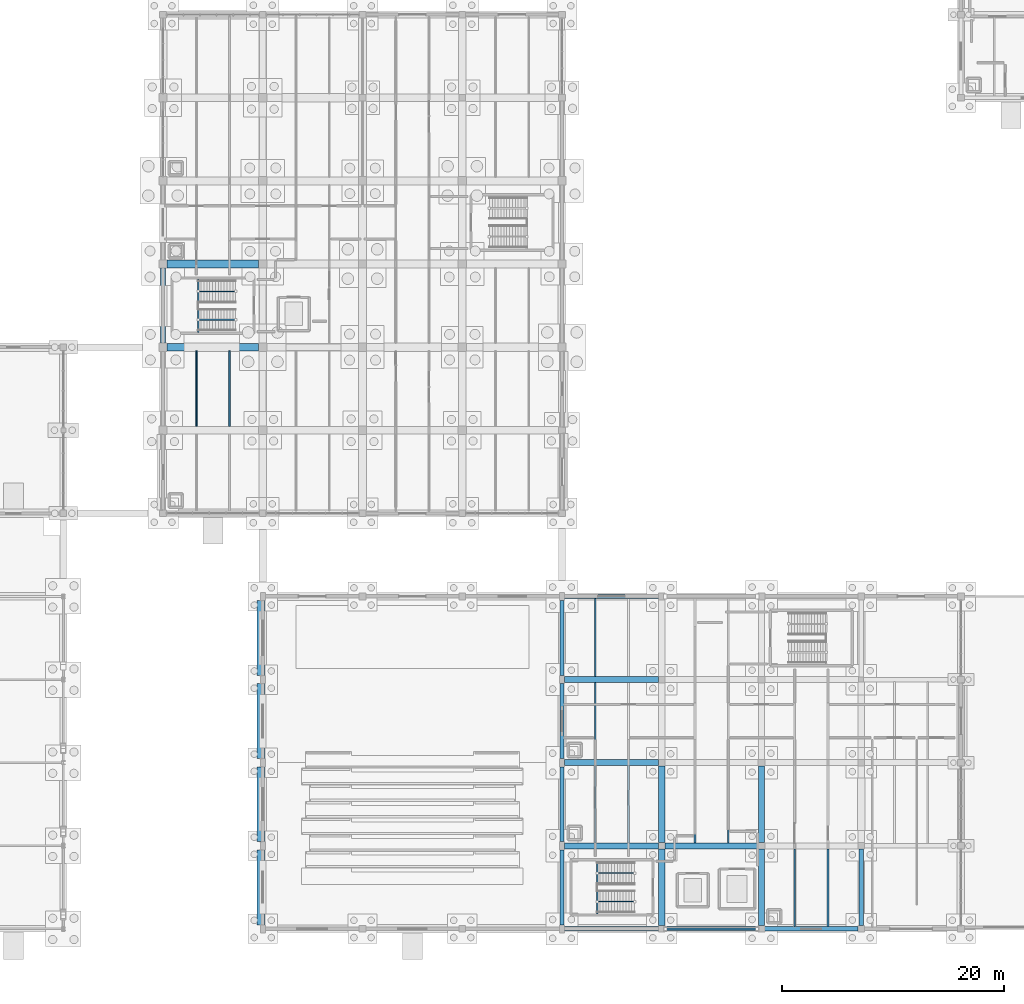
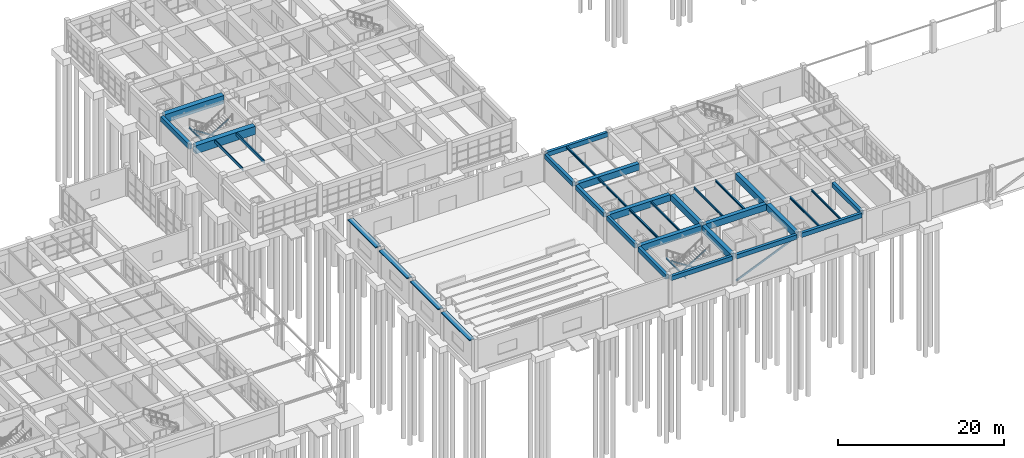
# One storey, part 22 of 93: 32 beams, 9 members.
"""IFC4 building model written with IfcOpenShell, lengths in metres."""

from ifc_helpers import new_model, si_unit, direction, frame, origin, origin_2d, place, context, subcontext, project, spatial, rectangle, hollow_rectangle, i_section, extrude, material, material_profile, profile_set, type_object, element, save


model = new_model("IFC4")

# Units and contexts
model_context = context("Model", 3, precision=1e-05, world=origin(), true_north=direction((0.0, 1.0)))
body_context = subcontext(model_context, "Body", "Model", "MODEL_VIEW")
ifc_project = project(units=[si_unit("LENGTHUNIT", "METRE"), si_unit("AREAUNIT", "SQUARE_METRE"), si_unit("VOLUMEUNIT", "CUBIC_METRE"), si_unit("PLANEANGLEUNIT", "RADIAN"), si_unit("MASSUNIT", "GRAM", prefix="KILO")], contexts=[model_context])

# Site, building, storey
site_placement = place(None, origin())
site = spatial("IfcSite", under=ifc_project, at=site_placement, CompositionType="ELEMENT")
building_placement = place(site_placement, origin())
building = spatial("IfcBuilding", under=site, at=building_placement, Name="Marnridge Secondary College", CompositionType="ELEMENT")
storey_placement = place(building_placement, origin())
storey = spatial("IfcBuildingStorey", under=building, at=storey_placement, Name="L00", CompositionType="ELEMENT", Elevation=0.0)

# Beams
ifc_material_1 = material(Name="Engineered timber LVL E13.2", Category="wood")
ifc_material_profile_1 = material_profile(ifc_material_1, rectangle(XDim=0.1259765625, YDim=0.449951171875, at=origin_2d()), Name="LVL 126x450")
ifc_profile_set_1 = profile_set([ifc_material_profile_1], Name="Engineered timber LVL E13.2")
beam_type_1 = type_object("IfcBeamType", Name="BM-LVL450-INT", PredefinedType="JOIST", material=ifc_profile_set_1)
for number, where, z_axis, x_axis, name in (
    (1, (57.0, 45.343994140625, 3.85498046875), (0.0, 1.0, 0.0), (-1.0, 0.0, 0.0), "Beam BJ-L00-0095"),
    (2, (60.0, 45.343994140625, 3.85498046875), (0.0, 1.0, 0.0), (-1.0, 0.0, 0.0), "Beam BJ-L00-0096"),
):
    element("IfcBeam", number, at=place(storey_placement, frame(where, z_axis=z_axis, x_axis=x_axis)), inside=storey, type_object=beam_type_1, Name=name, PredefinedType="JOIST", context=body_context, shape_type="SweptSolid", body=[
        extrude(rectangle(XDim=0.1259765625, YDim=0.449951171875, at=origin_2d()), origin(), (0.0, 0.0, 1.0), 6.81201171875),
    ])
ifc_material_2 = material(Name="Concrete C40/50 (AS 3600 N40, 40 MPa)", Category="concrete")
ifc_material_profile_2 = material_profile(ifc_material_2, rectangle(XDim=0.39990234375, YDim=0.64990234375, at=origin_2d()), Name="RC 400x650")
ifc_profile_set_2 = profile_set([ifc_material_profile_2], Name="Concrete C40/50 (AS 3600 N40, 40 MPa)")
beam_type_2 = type_object("IfcBeamType", Name="BM-RC4065-EXT", PredefinedType="SPANDREL", material=ifc_profile_set_2)
beam_1_placement = place(storey_placement, frame((90.218994140625, 0.0, 3.77490234375), z_axis=(1.0, 0.0, 0.0), x_axis=(0.0, 1.0, 0.0)))
element("IfcBeam", 3, at=beam_1_placement, inside=storey, type_object=beam_type_2, Name="Beam BS-L00-0164", PredefinedType="SPANDREL", context=body_context, shape_type="SweptSolid", body=[
    extrude(rectangle(XDim=0.39990234375, YDim=0.64990234375, at=origin_2d()), origin(), (0.0, 0.0, 1.0), 8.487060546875),
])
for number, where, z_axis, x_axis, name in (
    (4, (90.0, 0.368896484375, 3.77490234375), (0.0, 1.0, 0.0), (-1.0, 0.0, 0.0), "Beam BS-L00-0166"),
    (5, (90.0, 7.868896484375, 3.77490234375), (0.0, 1.0, 0.0), (-1.0, 0.0, 0.0), "Beam BS-L00-0169"),
    (6, (90.0, 15.368896484375, 3.77490234375), (0.0, 1.0, 0.0), (-1.0, 0.0, 0.0), "Beam BS-L00-0172"),
):
    element("IfcBeam", number, at=place(storey_placement, frame(where, z_axis=z_axis, x_axis=x_axis)), inside=storey, type_object=beam_type_2, Name=name, PredefinedType="SPANDREL", context=body_context, shape_type="SweptSolid", body=[
        extrude(rectangle(XDim=0.39990234375, YDim=0.64990234375, at=origin_2d()), origin(), (0.0, 0.0, 1.0), 6.76220703125),
    ])
beam_2_placement = place(storey_placement, frame((90.218994140625, 30.0, 3.77490234375), z_axis=(1.0, 0.0, 0.0), x_axis=(0.0, 1.0, 0.0)))
element("IfcBeam", 7, at=beam_2_placement, inside=storey, type_object=beam_type_2, Name="Beam BS-L00-0174", PredefinedType="SPANDREL", context=body_context, shape_type="SweptSolid", body=[
    extrude(rectangle(XDim=0.39990234375, YDim=0.64990234375, at=origin_2d()), origin(), (0.0, 0.0, 1.0), 8.487060546875),
])
beam_3_placement = place(storey_placement, frame((90.0, 22.868896484375, 3.77490234375), z_axis=(0.0, 1.0, 0.0), x_axis=(-1.0, 0.0, 0.0)))
element("IfcBeam", 8, at=beam_3_placement, inside=storey, type_object=beam_type_2, Name="Beam BS-L00-0175", PredefinedType="SPANDREL", context=body_context, shape_type="SweptSolid", body=[
    extrude(rectangle(XDim=0.39990234375, YDim=0.64990234375, at=origin_2d()), origin(), (0.0, 0.0, 1.0), 6.76220703125),
])
for number, where, z_axis, x_axis, name in (
    (9, (99.2939453125, 0.0, 3.77490234375), (1.0, 0.0, 0.0), (0.0, 1.0, 0.0), "Beam BS-L00-0177"),
    (10, (108.2939453125, 0.0, 3.77490234375), (1.0, 0.0, 0.0), (0.0, 1.0, 0.0), "Beam BS-L00-0186"),
):
    element("IfcBeam", number, at=place(storey_placement, frame(where, z_axis=z_axis, x_axis=x_axis)), inside=storey, type_object=beam_type_2, Name=name, PredefinedType="SPANDREL", context=body_context, shape_type="SweptSolid", body=[
        extrude(rectangle(XDim=0.39990234375, YDim=0.64990234375, at=origin_2d()), origin(), (0.0, 0.0, 1.0), 8.412109375),
    ])
beam_4_placement = place(storey_placement, frame((117.0, 0.2939453125, 3.77490234375), z_axis=(0.0, 1.0, 0.0), x_axis=(-1.0, 0.0, 0.0)))
element("IfcBeam", 11, at=beam_4_placement, inside=storey, type_object=beam_type_2, Name="Beam BS-L00-0188", PredefinedType="SPANDREL", context=body_context, shape_type="SweptSolid", body=[
    extrude(rectangle(XDim=0.39990234375, YDim=0.64990234375, at=origin_2d()), origin(), (0.0, 0.0, 1.0), 6.912109375),
])
ifc_material_3 = material(Name="Concrete C40/50 (AS 3600 N40, 40 MPa)", Category="concrete")
ifc_material_profile_3 = material_profile(ifc_material_3, rectangle(XDim=0.449951171875, YDim=0.75, at=origin_2d()), Name="RC 450x750")
ifc_profile_set_3 = profile_set([ifc_material_profile_3], Name="Concrete C40/50 (AS 3600 N40, 40 MPa)")
beam_type_3 = type_object("IfcBeamType", Name="BM-RC4575-EXT", PredefinedType="SPANDREL", material=ifc_profile_set_3)
beam_5_placement = place(storey_placement, frame((54.0, 52.868896484375, 3.705078125), z_axis=(0.0, 1.0, 0.0), x_axis=(-1.0, 0.0, 0.0)))
element("IfcBeam", 12, at=beam_5_placement, inside=storey, type_object=beam_type_3, Name="Beam BS-L00-0043", PredefinedType="SPANDREL", context=body_context, shape_type="SweptSolid", body=[
    extrude(rectangle(XDim=0.449951171875, YDim=0.75, at=origin_2d()), origin(), (0.0, 0.0, 1.0), 6.76220703125),
])
ifc_material_4 = material(Name="Concrete C40/50 (AS 3600 N40, 40 MPa)", Category="concrete")
ifc_material_profile_4 = material_profile(ifc_material_4, rectangle(XDim=0.550048828125, YDim=0.949951171875, at=origin_2d()), Name="RC 550x950")
ifc_profile_set_4 = profile_set([ifc_material_profile_4], Name="Concrete C40/50 (AS 3600 N40, 40 MPa)")
beam_type_4 = type_object("IfcBeamType", Name="BM-RC5595-INT", PredefinedType="BEAM", material=ifc_profile_set_4)
beam_6_placement = place(storey_placement, frame((90.218994140625, 7.5, 3.625), z_axis=(1.0, 0.0, 0.0), x_axis=(0.0, 1.0, 0.0)))
element("IfcBeam", 13, at=beam_6_placement, inside=storey, type_object=beam_type_4, Name="Beam B-L00-0165", PredefinedType="BEAM", context=body_context, shape_type="SweptSolid", body=[
    extrude(rectangle(XDim=0.550048828125, YDim=0.949951171875, at=origin_2d()), origin(), (0.0, 0.0, 1.0), 8.487060546875),
])
beam_7_placement = place(storey_placement, frame((99.0, 0.2939453125, 3.625), z_axis=(0.0, 1.0, 0.0), x_axis=(-1.0, 0.0, 0.0)))
element("IfcBeam", 14, at=beam_7_placement, inside=storey, type_object=beam_type_4, Name="Beam B-L00-0167", PredefinedType="BEAM", context=body_context, shape_type="SweptSolid", body=[
    extrude(rectangle(XDim=0.550048828125, YDim=0.949951171875, at=origin_2d()), origin(), (0.0, 0.0, 1.0), 6.912109375),
])
beam_8_placement = place(storey_placement, frame((90.218994140625, 15.0, 3.625), z_axis=(1.0, 0.0, 0.0), x_axis=(0.0, 1.0, 0.0)))
element("IfcBeam", 15, at=beam_8_placement, inside=storey, type_object=beam_type_4, Name="Beam B-L00-0168", PredefinedType="BEAM", context=body_context, shape_type="SweptSolid", body=[
    extrude(rectangle(XDim=0.550048828125, YDim=0.949951171875, at=origin_2d()), origin(), (0.0, 0.0, 1.0), 8.487060546875),
])
beam_9_placement = place(storey_placement, frame((99.0, 7.7939453125, 3.625), z_axis=(0.0, 1.0, 0.0), x_axis=(-1.0, 0.0, 0.0)))
element("IfcBeam", 16, at=beam_9_placement, inside=storey, type_object=beam_type_4, Name="Beam B-L00-0170", PredefinedType="BEAM", context=body_context, shape_type="SweptSolid", body=[
    extrude(rectangle(XDim=0.550048828125, YDim=0.949951171875, at=origin_2d()), origin(), (0.0, 0.0, 1.0), 6.912109375),
])
beam_10_placement = place(storey_placement, frame((90.218994140625, 22.5, 3.625), z_axis=(1.0, 0.0, 0.0), x_axis=(0.0, 1.0, 0.0)))
element("IfcBeam", 17, at=beam_10_placement, inside=storey, type_object=beam_type_4, Name="Beam B-L00-0171", PredefinedType="BEAM", context=body_context, shape_type="SweptSolid", body=[
    extrude(rectangle(XDim=0.550048828125, YDim=0.949951171875, at=origin_2d()), origin(), (0.0, 0.0, 1.0), 8.487060546875),
])
beam_11_placement = place(storey_placement, frame((99.2939453125, 7.5, 3.625), z_axis=(1.0, 0.0, 0.0), x_axis=(0.0, 1.0, 0.0)))
element("IfcBeam", 18, at=beam_11_placement, inside=storey, type_object=beam_type_4, Name="Beam B-L00-0178", PredefinedType="BEAM", context=body_context, shape_type="SweptSolid", body=[
    extrude(rectangle(XDim=0.550048828125, YDim=0.949951171875, at=origin_2d()), origin(), (0.0, 0.0, 1.0), 8.412109375),
])
for number, where, z_axis, x_axis, name in (
    (19, (108.0, 0.2939453125, 3.625), (0.0, 1.0, 0.0), (-1.0, 0.0, 0.0), "Beam B-L00-0179"),
    (20, (108.0, 7.7939453125, 3.625), (0.0, 1.0, 0.0), (-1.0, 0.0, 0.0), "Beam B-L00-0181"),
):
    element("IfcBeam", number, at=place(storey_placement, frame(where, z_axis=z_axis, x_axis=x_axis)), inside=storey, type_object=beam_type_4, Name=name, PredefinedType="BEAM", context=body_context, shape_type="SweptSolid", body=[
        extrude(rectangle(XDim=0.550048828125, YDim=0.949951171875, at=origin_2d()), origin(), (0.0, 0.0, 1.0), 6.912109375),
    ])
ifc_material_5 = material(Name="Concrete C50/60 (AS 3600 N50, 50 MPa)", Category="concrete")
ifc_material_profile_5 = material_profile(ifc_material_5, rectangle(XDim=0.699951171875, YDim=1.199951171875, at=origin_2d()), Name="RC 700x1200")
ifc_profile_set_5 = profile_set([ifc_material_profile_5], Name="Concrete C50/60 (AS 3600 N50, 50 MPa)")
beam_type_5 = type_object("IfcBeamType", Name="BM-RC7012-INT", PredefinedType="BEAM", material=ifc_profile_set_5)
for number, where, z_axis, x_axis, name in (
    (21, (54.368896484375, 52.5, 3.47998046875), (1.0, 0.0, 0.0), (0.0, 1.0, 0.0), "Beam B-L00-0039"),
    (22, (54.368896484375, 60.0, 3.47998046875), (1.0, 0.0, 0.0), (0.0, 1.0, 0.0), "Beam B-L00-0042"),
):
    element("IfcBeam", number, at=place(storey_placement, frame(where, z_axis=z_axis, x_axis=x_axis)), inside=storey, type_object=beam_type_5, Name=name, PredefinedType="BEAM", context=body_context, shape_type="SweptSolid", body=[
        extrude(rectangle(XDim=0.699951171875, YDim=1.199951171875, at=origin_2d()), origin(), (0.0, 0.0, 1.0), 8.26220703125),
    ])
ifc_material_6 = material(Name="Structural steel Grade 350 (AS/NZS 3679.1/.2, fy = 340-360 MPa)", Category="steel")
ifc_material_profile_6 = material_profile(ifc_material_6, i_section(OverallWidth=0.146240234375, OverallDepth=0.256103515625, WebThickness=0.00634765625, FlangeThickness=0.010986328125, FilletRadius=0.0087890625, at=origin_2d()), Name="250UB37.3")
ifc_profile_set_6 = profile_set([ifc_material_profile_6], Name="Structural steel Grade 350 (AS/NZS 3679.1/.2, fy = 340-360 MPa)")
beam_type_6 = type_object("IfcBeamType", Name="BM-UB250-EXT", PredefinedType="LINTEL", material=ifc_profile_set_6)
for number, where, z_axis, x_axis, name in (
    (23, (57.169921875, 53.842041015625, 1.921875), (0.0, 1.0, 0.0), (-1.0, 0.0, 0.0), "Stair landing trimmer beam BT-L00-001"),
    (24, (93.169921875, 1.342041015625, 1.921875), (0.0, 1.0, 0.0), (-1.0, 0.0, 0.0), "Stair landing trimmer beam BT-L00-049"),
):
    element("IfcBeam", number, at=place(storey_placement, frame(where, z_axis=z_axis, x_axis=x_axis)), inside=storey, type_object=beam_type_6, Name=name, PredefinedType="LINTEL", context=body_context, shape_type="SweptSolid", body=[
        extrude(i_section(OverallWidth=0.146240234375, OverallDepth=0.256103515625, WebThickness=0.00634765625, FlangeThickness=0.010986328125, FilletRadius=0.0087890625, at=origin_2d()), origin(), (0.0, 0.0, 1.0), 4.802978515625),
    ])
ifc_material_7 = material(Name="Structural steel Grade 350 (AS/NZS 3679.1/.2, fy = 340-360 MPa)", Category="steel")
ifc_material_profile_7 = material_profile(ifc_material_7, i_section(OverallWidth=0.1650390625, OverallDepth=0.303955078125, WebThickness=0.006103515625, FlangeThickness=0.01025390625, FilletRadius=0.011474609375, at=origin_2d()), Name="310UB40.4")
ifc_profile_set_7 = profile_set([ifc_material_profile_7], Name="Structural steel Grade 350 (AS/NZS 3679.1/.2, fy = 340-360 MPa)")
beam_type_7 = type_object("IfcBeamType", Name="BM-UB310-INT", PredefinedType="BEAM", material=ifc_profile_set_7)
for number, where, z_axis, x_axis, name in (
    (25, (93.0, 7.76904296875, 3.947998046875), (0.0, 1.0, 0.0), (-1.0, 0.0, 0.0), "Beam BJ-L00-0200"),
    (26, (96.0, 7.76904296875, 3.947998046875), (0.0, 1.0, 0.0), (-1.0, 0.0, 0.0), "Beam BJ-L00-0201"),
    (27, (93.0, 15.26904296875, 3.947998046875), (0.0, 1.0, 0.0), (-1.0, 0.0, 0.0), "Beam BJ-L00-0202"),
):
    element("IfcBeam", number, at=place(storey_placement, frame(where, z_axis=z_axis, x_axis=x_axis)), inside=storey, type_object=beam_type_7, Name=name, PredefinedType="BEAM", context=body_context, shape_type="SweptSolid", body=[
        extrude(i_section(OverallWidth=0.1650390625, OverallDepth=0.303955078125, WebThickness=0.006103515625, FlangeThickness=0.01025390625, FilletRadius=0.011474609375, at=origin_2d()), origin(), (0.0, 0.0, 1.0), 6.9619140625),
    ])
beam_12_placement = place(storey_placement, frame((93.0, 22.76904296875, 3.947998046875), z_axis=(0.0, 1.0, 0.0), x_axis=(-1.0, 0.0, 0.0)))
element("IfcBeam", 28, at=beam_12_placement, inside=storey, type_object=beam_type_7, Name="Beam BJ-L00-0204", PredefinedType="BEAM", context=body_context, shape_type="SweptSolid", body=[
    extrude(i_section(OverallWidth=0.1650390625, OverallDepth=0.303955078125, WebThickness=0.006103515625, FlangeThickness=0.01025390625, FilletRadius=0.011474609375, at=origin_2d()), origin(), (0.0, 0.0, 1.0), 7.036865234375),
])
for number, where, z_axis, x_axis, name in (
    (29, (102.0, 7.76904296875, 3.947998046875), (0.0, 1.0, 0.0), (-1.0, 0.0, 0.0), "Beam BJ-L00-0206"),
    (30, (105.0, 7.76904296875, 3.947998046875), (0.0, 1.0, 0.0), (-1.0, 0.0, 0.0), "Beam BJ-L00-0207"),
):
    element("IfcBeam", number, at=place(storey_placement, frame(where, z_axis=z_axis, x_axis=x_axis)), inside=storey, type_object=beam_type_7, Name=name, PredefinedType="BEAM", context=body_context, shape_type="SweptSolid", body=[
        extrude(i_section(OverallWidth=0.1650390625, OverallDepth=0.303955078125, WebThickness=0.006103515625, FlangeThickness=0.01025390625, FilletRadius=0.011474609375, at=origin_2d()), origin(), (0.0, 0.0, 1.0), 6.9619140625),
    ])
for number, where, z_axis, x_axis, name in (
    (31, (111.0, 0.194091796875, 3.947998046875), (0.0, 1.0, 0.0), (-1.0, 0.0, 0.0), "Beam BJ-L00-0212"),
    (32, (114.0, 0.194091796875, 3.947998046875), (0.0, 1.0, 0.0), (-1.0, 0.0, 0.0), "Beam BJ-L00-0213"),
):
    element("IfcBeam", number, at=place(storey_placement, frame(where, z_axis=z_axis, x_axis=x_axis)), inside=storey, type_object=beam_type_7, Name=name, PredefinedType="BEAM", context=body_context, shape_type="SweptSolid", body=[
        extrude(i_section(OverallWidth=0.1650390625, OverallDepth=0.303955078125, WebThickness=0.006103515625, FlangeThickness=0.01025390625, FilletRadius=0.011474609375, at=origin_2d()), origin(), (0.0, 0.0, 1.0), 7.036865234375),
    ])

# Members
ifc_material_8 = material(Name="Cold-formed steel Grade C350L0 (AS/NZS 1163, fy = 350 MPa)", Category="steel")
ifc_material_profile_8 = material_profile(ifc_material_8, hollow_rectangle(XDim=0.14990234375, YDim=0.25, WallThickness=0.009033203125, at=origin_2d()), Name="250x150x9.0RHS")
ifc_profile_set_8 = profile_set([ifc_material_profile_8], Name="Cold-formed steel Grade C350L0 (AS/NZS 1163, fy = 350 MPa)")
member_type_1 = type_object("IfcMemberType", Name="MB-BR-RHS250", PredefinedType="BRACE", material=ifc_profile_set_8)
member_1_placement = place(storey_placement, frame((99.320068359375, 0.0, 0.179931640625), z_axis=(0.921427090065, 0.0, 0.388551306385), x_axis=(0.0, 1.0, 0.0)))
element("IfcMember", 33, at=member_1_placement, inside=storey, type_object=member_type_1, Name="Lateral brace BR-007", PredefinedType="BRACE", context=body_context, shape_type="SweptSolid", body=[
    extrude(hollow_rectangle(XDim=0.14990234375, YDim=0.25, WallThickness=0.009033203125, at=origin_2d()), origin(), (0.0, 0.0, 1.0), 9.0078125),
])
ifc_material_9 = material(Name="Precast concrete C40/50 (AS 3600 N40, 40 MPa)", Category="concrete")
ifc_material_profile_9 = material_profile(ifc_material_9, rectangle(XDim=0.139892578125, YDim=0.75, at=origin_2d()), Name="FIN PC 140x750")
ifc_profile_set_9 = profile_set([ifc_material_profile_9], Name="Precast concrete C40/50 (AS 3600 N40, 40 MPa)")
member_type_2 = type_object("IfcMemberType", Name="MB-FIN-PC750", PredefinedType="USERDEFINED", material=ifc_profile_set_9)
for number, where, z_axis, x_axis, name in (
    (34, (62.840087890625, 0.375, 4.02001953125), (0.0, 1.0, 0.0), (0.0, 0.0, 1.0), "Solar shading fin SFN-0012"),
    (35, (62.840087890625, 7.875, 4.02001953125), (0.0, 1.0, 0.0), (0.0, 0.0, 1.0), "Solar shading fin SFN-0013"),
    (36, (62.840087890625, 15.375, 4.02001953125), (0.0, 1.0, 0.0), (0.0, 0.0, 1.0), "Solar shading fin SFN-0014"),
    (37, (62.840087890625, 22.875, 4.02001953125), (0.0, 1.0, 0.0), (0.0, 0.0, 1.0), "Solar shading fin SFN-0015"),
):
    element("IfcMember", number, at=place(storey_placement, frame(where, z_axis=z_axis, x_axis=x_axis)), inside=storey, type_object=member_type_2, Name=name, ObjectType="SOLAR FIN", PredefinedType="USERDEFINED", context=body_context, shape_type="SweptSolid", body=[
        extrude(rectangle(XDim=0.139892578125, YDim=0.75, at=origin_2d()), origin(), (0.0, 0.0, 1.0), 6.75),
    ])
ifc_material_10 = material(Name="Cold-formed steel Grade C350L0 (AS/NZS 1163, fy = 350 MPa)", Category="steel")
ifc_material_profile_10 = material_profile(ifc_material_10, hollow_rectangle(XDim=0.10009765625, YDim=0.199951171875, WallThickness=0.006103515625, at=origin_2d()), Name="200x100x6.0RHS")
ifc_profile_set_10 = profile_set([ifc_material_profile_10], Name="Cold-formed steel Grade C350L0 (AS/NZS 1163, fy = 350 MPa)")
member_type_3 = type_object("IfcMemberType", Name="MB-STR-RHS200", PredefinedType="STRINGER", material=ifc_profile_set_10)
member_2_placement = place(storey_placement, frame((60.550048828125, 57.530029296875, 0.014892578125), z_axis=(-0.846349195689, 0.0, 0.532628424849), x_axis=(0.0, -1.0, 0.0)))
element("IfcMember", 38, at=member_2_placement, inside=storey, type_object=member_type_3, Name="Stair stringer STR-001", PredefinedType="STRINGER", context=body_context, shape_type="SweptSolid", body=[
    extrude(hollow_rectangle(XDim=0.10009765625, YDim=0.199951171875, WallThickness=0.006103515625, at=origin_2d()), origin(), (0.0, 0.0, 1.0), 3.99365234375),
])
member_3_placement = place(storey_placement, frame((57.169921875, 54.969970703125, 2.14208984375), z_axis=(0.857274309242, 0.0, 0.51485994087), x_axis=(0.0, 1.0, 0.0)))
element("IfcMember", 39, at=member_3_placement, inside=storey, type_object=member_type_3, Name="Stair stringer STR-002", PredefinedType="STRINGER", context=body_context, shape_type="SweptSolid", body=[
    extrude(hollow_rectangle(XDim=0.10009765625, YDim=0.199951171875, WallThickness=0.006103515625, at=origin_2d()), origin(), (0.0, 0.0, 1.0), 3.94287109375),
])
member_4_placement = place(storey_placement, frame((96.550048828125, 5.030029296875, 0.014892578125), z_axis=(-0.846349195689, 0.0, 0.532628424849), x_axis=(0.0, -1.0, 0.0)))
element("IfcMember", 40, at=member_4_placement, inside=storey, type_object=member_type_3, Name="Stair stringer STR-049", PredefinedType="STRINGER", context=body_context, shape_type="SweptSolid", body=[
    extrude(hollow_rectangle(XDim=0.10009765625, YDim=0.199951171875, WallThickness=0.006103515625, at=origin_2d()), origin(), (0.0, 0.0, 1.0), 3.99365234375),
])
member_5_placement = place(storey_placement, frame((93.169921875, 2.469970703125, 2.14208984375), z_axis=(0.855058437662, 0.0, 0.51853164627), x_axis=(0.0, 1.0, 0.0)))
element("IfcMember", 41, at=member_5_placement, inside=storey, type_object=member_type_3, Name="Stair stringer STR-050", PredefinedType="STRINGER", context=body_context, shape_type="SweptSolid", body=[
    extrude(hollow_rectangle(XDim=0.10009765625, YDim=0.199951171875, WallThickness=0.006103515625, at=origin_2d()), origin(), (0.0, 0.0, 1.0), 3.953125),
])

save(model, "model.ifc")
